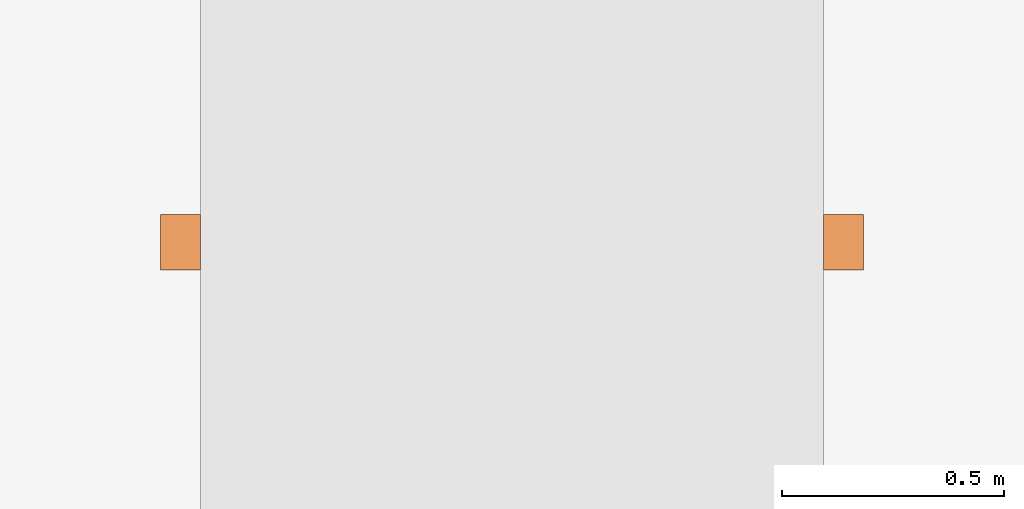
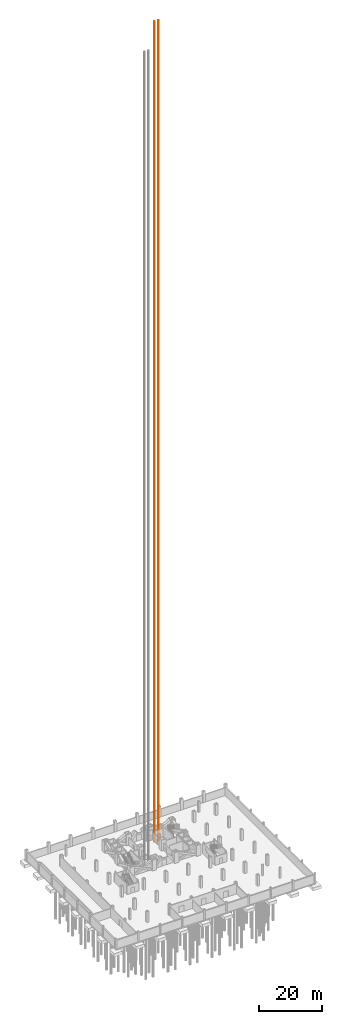
# One storey, part 17 of 17: 1 proxy.
"""IFC4 building model written with IfcOpenShell, lengths in metres."""

from ifc_helpers import new_model, si_unit, direction, frame, origin, origin_2d, place, context, subcontext, project, spatial, rectangle, extrude, material, element, save


model = new_model("IFC4")

# Units and contexts
model_context = context("Model", 3, precision=1e-05, world=origin(), true_north=direction((0.0, 1.0)))
body_context = subcontext(model_context, "Body", "Model", "MODEL_VIEW")
ifc_project = project(units=[si_unit("LENGTHUNIT", "METRE"), si_unit("AREAUNIT", "SQUARE_METRE"), si_unit("VOLUMEUNIT", "CUBIC_METRE"), si_unit("PLANEANGLEUNIT", "RADIAN"), si_unit("MASSUNIT", "GRAM", prefix="KILO")], contexts=[model_context])

# Site, building, storey
site_placement = place(None, origin())
site = spatial("IfcSite", under=ifc_project, at=site_placement, CompositionType="ELEMENT")
building_placement = place(site_placement, origin())
building = spatial("IfcBuilding", under=site, at=building_placement, Name="Kopane Lantern Tower", CompositionType="ELEMENT")
storey_placement = place(building_placement, frame((0.0, 0.0, -8.39990234375)))
storey = spatial("IfcBuildingStorey", under=building, at=storey_placement, Name="L-02", CompositionType="ELEMENT", Elevation=-8.39990234375)

# Proxy
ifc_material = material(Name="Steel S355JR", Category="steel")
proxy_placement = place(storey_placement, frame((33.949951171875, 38.949951171875, -1.5), z_axis=(0.0, 0.0, 1.0), x_axis=(1.0, 0.0, 0.0)))
element("IfcBuildingElementProxy", 1, at=proxy_placement, inside=storey, material=ifc_material, Name="Lift guide rail frame LF2", ObjectType="LIFT GUIDE RAIL FRAME", PredefinedType="USERDEFINED", context=body_context, shape_type="SweptSolid", body=[
    extrude(rectangle(XDim=0.090087890625, YDim=0.125, at=origin_2d()), frame((-0.744873046875, 0.0, 0.0)), (0.0, 0.0, 1.0), 317.800048828125),
    extrude(rectangle(XDim=0.090087890625, YDim=0.125, at=origin_2d()), frame((0.7451171875, 0.0, 0.0)), (0.0, 0.0, 1.0), 317.800048828125),
])

save(model, "model.ifc")
